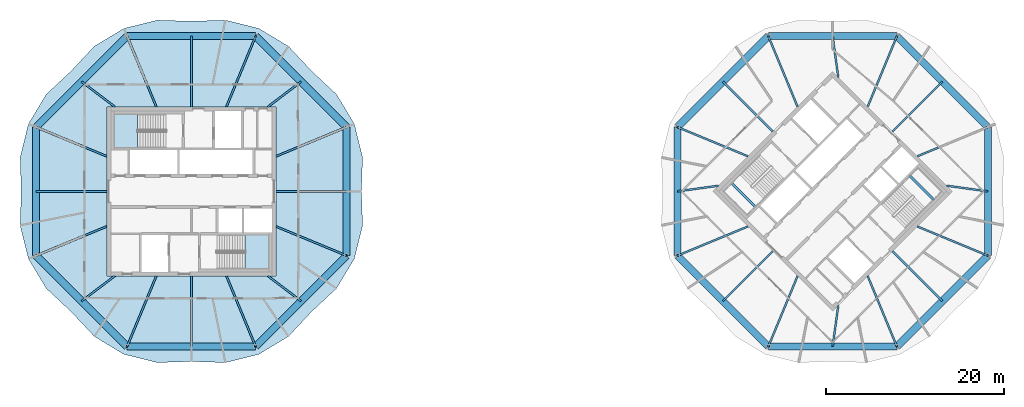
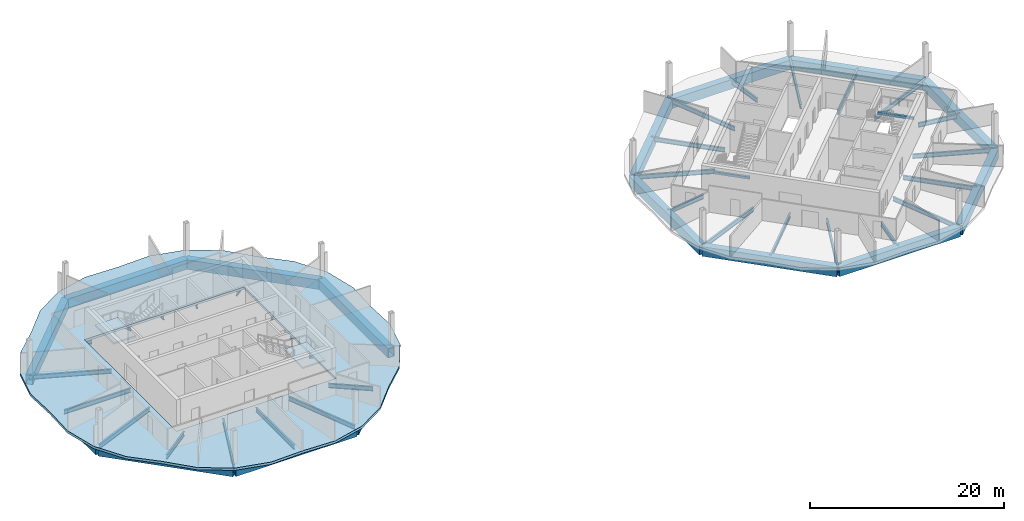
# One storey, part 3 of 10: 50 beams, 3 slabs, 2 elements without a shape of their own.
"""IFC4 building model written with IfcOpenShell, lengths in metres."""

from ifc_helpers import new_model, si_unit, direction, frame, origin, origin_2d, place, context, subcontext, project, spatial, polyline, rectangle, hollow_rectangle, i_section, outline, extrude, material, layer, layer_set, material_profile, profile_set, type_object, element, aggregate, save


model = new_model("IFC4")

# Units and contexts
model_context = context("Model", 3, precision=1e-05, world=origin(), true_north=direction((0.0, 1.0)))
body_context = subcontext(model_context, "Body", "Model", "MODEL_VIEW")
ifc_project = project(units=[si_unit("LENGTHUNIT", "METRE"), si_unit("AREAUNIT", "SQUARE_METRE"), si_unit("VOLUMEUNIT", "CUBIC_METRE"), si_unit("PLANEANGLEUNIT", "RADIAN"), si_unit("MASSUNIT", "GRAM", prefix="KILO")], contexts=[model_context])

# Site, building, storey
site_placement = place(None, origin())
site = spatial("IfcSite", under=ifc_project, at=site_placement, CompositionType="ELEMENT")
building_placement = place(site_placement, origin())
building = spatial("IfcBuilding", under=site, at=building_placement, Name="Ogive Gate Towers", CompositionType="ELEMENT")
storey_placement = place(building_placement, frame((0.0, 0.0, 260.39990234375)))
storey = spatial("IfcBuildingStorey", under=building, at=storey_placement, Name="L61", CompositionType="ELEMENT", Elevation=260.39990234375)

# Beams
ifc_material_1 = material(Name="Steel SM460", Category="steel")
ifc_material_profile_1 = material_profile(ifc_material_1, hollow_rectangle(XDim=0.800048828125, YDim=1.199951171875, WallThickness=0.050048828125, at=origin_2d()), Name="BX 1200x800x50")
ifc_profile_set_1 = profile_set([ifc_material_profile_1], Name="Steel SM460")
beam_type_1 = type_object("IfcBeamType", Name="Edge girder BX 1200x800x50", PredefinedType="BEAM", material=ifc_profile_set_1)
beam_1_placement = place(storey_placement, frame((-53.42431640625, -7.217529296875, -0.89990234375), z_axis=(0.707106781187, -0.707106781187, 0.0), x_axis=(0.707106781187, 0.707106781187, 0.0)))
element("IfcBeam", 1, at=beam_1_placement, inside=storey, type_object=beam_type_1, Name="T1/L61/SBM017", PredefinedType="BEAM", context=body_context, shape_type="SweptSolid", body=[
    extrude(hollow_rectangle(XDim=0.800048828125, YDim=1.199951171875, WallThickness=0.050048828125, at=origin_2d()), origin(), (0.0, 0.0, 1.0), 14.4345703125),
])
beam_2_placement = place(storey_placement, frame((-43.217529296875, -17.42431640625, -0.89990234375), z_axis=(1.0, 0.0, 0.0), x_axis=(0.0, 1.0, 0.0)))
element("IfcBeam", 2, at=beam_2_placement, inside=storey, type_object=beam_type_1, Name="T1/L61/SBM018", PredefinedType="BEAM", context=body_context, shape_type="SweptSolid", body=[
    extrude(hollow_rectangle(XDim=0.800048828125, YDim=1.199951171875, WallThickness=0.050048828125, at=origin_2d()), origin(), (0.0, 0.0, 1.0), 14.43505859375),
])
beam_3_placement = place(storey_placement, frame((-28.782470703125, -17.42431640625, -0.89990234375), z_axis=(0.707106781187, 0.707106781187, 0.0), x_axis=(-0.707106781187, 0.707106781187, 0.0)))
element("IfcBeam", 3, at=beam_3_placement, inside=storey, type_object=beam_type_1, Name="T1/L61/SBM019", PredefinedType="BEAM", context=body_context, shape_type="SweptSolid", body=[
    extrude(hollow_rectangle(XDim=0.800048828125, YDim=1.199951171875, WallThickness=0.050048828125, at=origin_2d()), origin(), (0.0, 0.0, 1.0), 14.4345703125),
])
beam_4_placement = place(storey_placement, frame((-18.57568359375, -7.217529296875, -0.89990234375), z_axis=(0.0, 1.0, 0.0), x_axis=(-1.0, 0.0, 0.0)))
element("IfcBeam", 4, at=beam_4_placement, inside=storey, type_object=beam_type_1, Name="T1/L61/SBM020", PredefinedType="BEAM", context=body_context, shape_type="SweptSolid", body=[
    extrude(hollow_rectangle(XDim=0.800048828125, YDim=1.199951171875, WallThickness=0.050048828125, at=origin_2d()), origin(), (0.0, 0.0, 1.0), 14.43505859375),
])
beam_5_placement = place(storey_placement, frame((-18.57568359375, 7.217529296875, -0.89990234375), z_axis=(-0.707106781187, 0.707106781187, 0.0), x_axis=(-0.707106781187, -0.707106781187, 0.0)))
element("IfcBeam", 5, at=beam_5_placement, inside=storey, type_object=beam_type_1, Name="T1/L61/SBM021", PredefinedType="BEAM", context=body_context, shape_type="SweptSolid", body=[
    extrude(hollow_rectangle(XDim=0.800048828125, YDim=1.199951171875, WallThickness=0.050048828125, at=origin_2d()), origin(), (0.0, 0.0, 1.0), 14.4345703125),
])
beam_6_placement = place(storey_placement, frame((-28.782470703125, 17.42431640625, -0.89990234375), z_axis=(-1.0, 0.0, 0.0), x_axis=(0.0, -1.0, 0.0)))
element("IfcBeam", 6, at=beam_6_placement, inside=storey, type_object=beam_type_1, Name="T1/L61/SBM022", PredefinedType="BEAM", context=body_context, shape_type="SweptSolid", body=[
    extrude(hollow_rectangle(XDim=0.800048828125, YDim=1.199951171875, WallThickness=0.050048828125, at=origin_2d()), origin(), (0.0, 0.0, 1.0), 14.43505859375),
])
beam_7_placement = place(storey_placement, frame((-43.217529296875, 17.42431640625, -0.89990234375), z_axis=(-0.707106781187, -0.707106781187, 0.0), x_axis=(0.707106781187, -0.707106781187, 0.0)))
element("IfcBeam", 7, at=beam_7_placement, inside=storey, type_object=beam_type_1, Name="T1/L61/SBM023", PredefinedType="BEAM", context=body_context, shape_type="SweptSolid", body=[
    extrude(hollow_rectangle(XDim=0.800048828125, YDim=1.199951171875, WallThickness=0.050048828125, at=origin_2d()), origin(), (0.0, 0.0, 1.0), 14.4345703125),
])
beam_8_placement = place(storey_placement, frame((-53.42431640625, 7.217529296875, -0.89990234375), z_axis=(0.0, -1.0, 0.0), x_axis=(1.0, 0.0, 0.0)))
element("IfcBeam", 8, at=beam_8_placement, inside=storey, type_object=beam_type_1, Name="T1/L61/SBM024", PredefinedType="BEAM", context=body_context, shape_type="SweptSolid", body=[
    extrude(hollow_rectangle(XDim=0.800048828125, YDim=1.199951171875, WallThickness=0.050048828125, at=origin_2d()), origin(), (0.0, 0.0, 1.0), 14.43505859375),
])
beam_9_placement = place(storey_placement, frame((18.57568359375, -7.217529296875, -0.89990234375), z_axis=(0.707106781187, -0.707106781187, 0.0), x_axis=(0.707106781187, 0.707106781187, 0.0)))
element("IfcBeam", 9, at=beam_9_placement, inside=storey, type_object=beam_type_1, Name="T2/L61/SBM017", PredefinedType="BEAM", context=body_context, shape_type="SweptSolid", body=[
    extrude(hollow_rectangle(XDim=0.800048828125, YDim=1.199951171875, WallThickness=0.050048828125, at=origin_2d()), origin(), (0.0, 0.0, 1.0), 14.4345703125),
])
beam_10_placement = place(storey_placement, frame((28.782470703125, -17.42431640625, -0.89990234375), z_axis=(1.0, 0.0, 0.0), x_axis=(0.0, 1.0, 0.0)))
element("IfcBeam", 10, at=beam_10_placement, inside=storey, type_object=beam_type_1, Name="T2/L61/SBM018", PredefinedType="BEAM", context=body_context, shape_type="SweptSolid", body=[
    extrude(hollow_rectangle(XDim=0.800048828125, YDim=1.199951171875, WallThickness=0.050048828125, at=origin_2d()), origin(), (0.0, 0.0, 1.0), 14.43505859375),
])
beam_11_placement = place(storey_placement, frame((43.217529296875, -17.42431640625, -0.89990234375), z_axis=(0.707106781187, 0.707106781187, 0.0), x_axis=(-0.707106781187, 0.707106781187, 0.0)))
element("IfcBeam", 11, at=beam_11_placement, inside=storey, type_object=beam_type_1, Name="T2/L61/SBM019", PredefinedType="BEAM", context=body_context, shape_type="SweptSolid", body=[
    extrude(hollow_rectangle(XDim=0.800048828125, YDim=1.199951171875, WallThickness=0.050048828125, at=origin_2d()), origin(), (0.0, 0.0, 1.0), 14.4345703125),
])
beam_12_placement = place(storey_placement, frame((53.42431640625, -7.217529296875, -0.89990234375), z_axis=(0.0, 1.0, 0.0), x_axis=(-1.0, 0.0, 0.0)))
element("IfcBeam", 12, at=beam_12_placement, inside=storey, type_object=beam_type_1, Name="T2/L61/SBM020", PredefinedType="BEAM", context=body_context, shape_type="SweptSolid", body=[
    extrude(hollow_rectangle(XDim=0.800048828125, YDim=1.199951171875, WallThickness=0.050048828125, at=origin_2d()), origin(), (0.0, 0.0, 1.0), 14.43505859375),
])
beam_13_placement = place(storey_placement, frame((53.42431640625, 7.217529296875, -0.89990234375), z_axis=(-0.707106781187, 0.707106781187, 0.0), x_axis=(-0.707106781187, -0.707106781187, 0.0)))
element("IfcBeam", 13, at=beam_13_placement, inside=storey, type_object=beam_type_1, Name="T2/L61/SBM021", PredefinedType="BEAM", context=body_context, shape_type="SweptSolid", body=[
    extrude(hollow_rectangle(XDim=0.800048828125, YDim=1.199951171875, WallThickness=0.050048828125, at=origin_2d()), origin(), (0.0, 0.0, 1.0), 14.4345703125),
])
beam_14_placement = place(storey_placement, frame((43.217529296875, 17.42431640625, -0.89990234375), z_axis=(-1.0, 0.0, 0.0), x_axis=(0.0, -1.0, 0.0)))
element("IfcBeam", 14, at=beam_14_placement, inside=storey, type_object=beam_type_1, Name="T2/L61/SBM022", PredefinedType="BEAM", context=body_context, shape_type="SweptSolid", body=[
    extrude(hollow_rectangle(XDim=0.800048828125, YDim=1.199951171875, WallThickness=0.050048828125, at=origin_2d()), origin(), (0.0, 0.0, 1.0), 14.43505859375),
])
beam_15_placement = place(storey_placement, frame((28.782470703125, 17.42431640625, -0.89990234375), z_axis=(-0.707106781187, -0.707106781187, 0.0), x_axis=(0.707106781187, -0.707106781187, 0.0)))
element("IfcBeam", 15, at=beam_15_placement, inside=storey, type_object=beam_type_1, Name="T2/L61/SBM023", PredefinedType="BEAM", context=body_context, shape_type="SweptSolid", body=[
    extrude(hollow_rectangle(XDim=0.800048828125, YDim=1.199951171875, WallThickness=0.050048828125, at=origin_2d()), origin(), (0.0, 0.0, 1.0), 14.4345703125),
])
beam_16_placement = place(storey_placement, frame((18.57568359375, 7.217529296875, -0.89990234375), z_axis=(0.0, -1.0, 0.0), x_axis=(1.0, 0.0, 0.0)))
element("IfcBeam", 16, at=beam_16_placement, inside=storey, type_object=beam_type_1, Name="T2/L61/SBM024", PredefinedType="BEAM", context=body_context, shape_type="SweptSolid", body=[
    extrude(hollow_rectangle(XDim=0.800048828125, YDim=1.199951171875, WallThickness=0.050048828125, at=origin_2d()), origin(), (0.0, 0.0, 1.0), 14.43505859375),
])
ifc_material_2 = material(Name="Concrete C40/50", Category="concrete")
ifc_material_profile_2 = material_profile(ifc_material_2, rectangle(XDim=0.25, YDim=0.300048828125, at=origin_2d()), Name="RC 250x300")
ifc_profile_set_2 = profile_set([ifc_material_profile_2], Name="Concrete C40/50")
beam_type_2 = type_object("IfcBeamType", Name="Landing bearer RC 250x300", PredefinedType="BEAM", material=ifc_profile_set_2)
for number, where, z_axis, x_axis, name in (
    (17, (24.64111328125, 0.94482421875, 1.75), (0.707138693938, -0.707074866995, 0.0), (0.707074866995, 0.707138693938, 0.0), "T2 L61 stair 1 landing bearer 1"),
    (18, (47.35888671875, -0.94482421875, 1.75), (-0.707138693938, 0.707074866995, 0.0), (-0.707074866995, -0.707138693938, 0.0), "T2 L61 stair 2 landing bearer 1"),
):
    element("IfcBeam", number, at=place(storey_placement, frame(where, z_axis=z_axis, x_axis=x_axis)), inside=storey, type_object=beam_type_2, Name=name, PredefinedType="BEAM", context=body_context, shape_type="SweptSolid", body=[
        extrude(rectangle(XDim=0.25, YDim=0.300048828125, at=origin_2d()), origin(), (0.0, 0.0, 1.0), 3.824951171875),
    ])
ifc_material_3 = material(Name="Steel SM355", Category="steel")
ifc_material_profile_3 = material_profile(ifc_material_3, i_section(OverallWidth=0.2099609375, OverallDepth=0.550048828125, WebThickness=0.010986328125, FlangeThickness=0.01708984375, FilletRadius=0.02392578125, at=origin_2d()), Name="IPE 550")
ifc_profile_set_3 = profile_set([ifc_material_profile_3], Name="Steel SM355")
beam_type_3 = type_object("IfcBeamType", Name="Radial floor beam IPE 550", PredefinedType="BEAM", material=ifc_profile_set_3)
beam_17_placement = place(storey_placement, frame((-45.5, -3.93505859375, -0.574951171875), z_axis=(-0.923874941579, -0.382694515667, 0.0), x_axis=(0.382694515667, -0.923874941579, 0.0)))
element("IfcBeam", 19, at=beam_17_placement, inside=storey, type_object=beam_type_3, Name="T1/L61/SBM001", PredefinedType="BEAM", context=body_context, shape_type="SweptSolid", body=[
    extrude(i_section(OverallWidth=0.2099609375, OverallDepth=0.550048828125, WebThickness=0.010986328125, FlangeThickness=0.01708984375, FilletRadius=0.02392578125, at=origin_2d()), origin(), (0.0, 0.0, 1.0), 8.5771484375),
])
beam_18_placement = place(storey_placement, frame((-44.60009765625, -9.5, -0.574951171875), z_axis=(-0.796877025219, -0.604141545235, 0.0), x_axis=(0.604141545235, -0.796877025219, 0.0)))
element("IfcBeam", 20, at=beam_18_placement, inside=storey, type_object=beam_type_3, Name="T1/L61/SBM002", PredefinedType="BEAM", context=body_context, shape_type="SweptSolid", body=[
    extrude(i_section(OverallWidth=0.2099609375, OverallDepth=0.550048828125, WebThickness=0.010986328125, FlangeThickness=0.01708984375, FilletRadius=0.02392578125, at=origin_2d()), origin(), (0.0, 0.0, 1.0), 4.669189453125),
])
beam_19_placement = place(storey_placement, frame((-39.93505859375, -9.5, -0.574951171875), z_axis=(-0.382694515667, -0.923874941579, 0.0), x_axis=(0.923874941579, -0.382694515667, 0.0)))
element("IfcBeam", 21, at=beam_19_placement, inside=storey, type_object=beam_type_3, Name="T1/L61/SBM003", PredefinedType="BEAM", context=body_context, shape_type="SweptSolid", body=[
    extrude(i_section(OverallWidth=0.2099609375, OverallDepth=0.550048828125, WebThickness=0.010986328125, FlangeThickness=0.01708984375, FilletRadius=0.02392578125, at=origin_2d()), origin(), (0.0, 0.0, 1.0), 8.5771484375),
])
beam_20_placement = place(storey_placement, frame((-36.0, -9.5, -0.574951171875), z_axis=(0.0, -1.0, 0.0), x_axis=(1.0, 0.0, 0.0)))
element("IfcBeam", 22, at=beam_20_placement, inside=storey, type_object=beam_type_3, Name="T1/L61/SBM004", PredefinedType="BEAM", context=body_context, shape_type="SweptSolid", body=[
    extrude(i_section(OverallWidth=0.2099609375, OverallDepth=0.550048828125, WebThickness=0.010986328125, FlangeThickness=0.01708984375, FilletRadius=0.02392578125, at=origin_2d()), origin(), (0.0, 0.0, 1.0), 7.92431640625),
])
beam_21_placement = place(storey_placement, frame((-32.06494140625, -9.5, -0.574951171875), z_axis=(0.382694515667, -0.923874941579, 0.0), x_axis=(0.923874941579, 0.382694515667, 0.0)))
element("IfcBeam", 23, at=beam_21_placement, inside=storey, type_object=beam_type_3, Name="T1/L61/SBM005", PredefinedType="BEAM", context=body_context, shape_type="SweptSolid", body=[
    extrude(i_section(OverallWidth=0.2099609375, OverallDepth=0.550048828125, WebThickness=0.010986328125, FlangeThickness=0.01708984375, FilletRadius=0.02392578125, at=origin_2d()), origin(), (0.0, 0.0, 1.0), 8.5771484375),
])
beam_22_placement = place(storey_placement, frame((-27.39990234375, -9.5, -0.574951171875), z_axis=(0.796877025219, -0.604141545235, 0.0), x_axis=(0.604141545235, 0.796877025219, 0.0)))
element("IfcBeam", 24, at=beam_22_placement, inside=storey, type_object=beam_type_3, Name="T1/L61/SBM006", PredefinedType="BEAM", context=body_context, shape_type="SweptSolid", body=[
    extrude(i_section(OverallWidth=0.2099609375, OverallDepth=0.550048828125, WebThickness=0.010986328125, FlangeThickness=0.01708984375, FilletRadius=0.02392578125, at=origin_2d()), origin(), (0.0, 0.0, 1.0), 4.669189453125),
])
beam_23_placement = place(storey_placement, frame((-26.5, -3.93505859375, -0.574951171875), z_axis=(0.923874941579, -0.382694515667, 0.0), x_axis=(0.382694515667, 0.923874941579, 0.0)))
element("IfcBeam", 25, at=beam_23_placement, inside=storey, type_object=beam_type_3, Name="T1/L61/SBM007", PredefinedType="BEAM", context=body_context, shape_type="SweptSolid", body=[
    extrude(i_section(OverallWidth=0.2099609375, OverallDepth=0.550048828125, WebThickness=0.010986328125, FlangeThickness=0.01708984375, FilletRadius=0.02392578125, at=origin_2d()), origin(), (0.0, 0.0, 1.0), 8.5771484375),
])
beam_24_placement = place(storey_placement, frame((-26.5, 0.0, -0.574951171875), z_axis=(1.0, 0.0, 0.0), x_axis=(0.0, 1.0, 0.0)))
element("IfcBeam", 26, at=beam_24_placement, inside=storey, type_object=beam_type_3, Name="T1/L61/SBM008", PredefinedType="BEAM", context=body_context, shape_type="SweptSolid", body=[
    extrude(i_section(OverallWidth=0.2099609375, OverallDepth=0.550048828125, WebThickness=0.010986328125, FlangeThickness=0.01708984375, FilletRadius=0.02392578125, at=origin_2d()), origin(), (0.0, 0.0, 1.0), 7.92431640625),
])
beam_25_placement = place(storey_placement, frame((-26.5, 3.93505859375, -0.574951171875), z_axis=(0.923874941579, 0.382694515667, 0.0), x_axis=(-0.382694515667, 0.923874941579, 0.0)))
element("IfcBeam", 27, at=beam_25_placement, inside=storey, type_object=beam_type_3, Name="T1/L61/SBM009", PredefinedType="BEAM", context=body_context, shape_type="SweptSolid", body=[
    extrude(i_section(OverallWidth=0.2099609375, OverallDepth=0.550048828125, WebThickness=0.010986328125, FlangeThickness=0.01708984375, FilletRadius=0.02392578125, at=origin_2d()), origin(), (0.0, 0.0, 1.0), 8.5771484375),
])
beam_26_placement = place(storey_placement, frame((-27.39990234375, 9.5, -0.574951171875), z_axis=(0.796877025219, 0.604141545235, 0.0), x_axis=(-0.604141545235, 0.796877025219, 0.0)))
element("IfcBeam", 28, at=beam_26_placement, inside=storey, type_object=beam_type_3, Name="T1/L61/SBM010", PredefinedType="BEAM", context=body_context, shape_type="SweptSolid", body=[
    extrude(i_section(OverallWidth=0.2099609375, OverallDepth=0.550048828125, WebThickness=0.010986328125, FlangeThickness=0.01708984375, FilletRadius=0.02392578125, at=origin_2d()), origin(), (0.0, 0.0, 1.0), 4.669189453125),
])
beam_27_placement = place(storey_placement, frame((-32.06494140625, 9.5, -0.574951171875), z_axis=(0.382694515667, 0.923874941579, 0.0), x_axis=(-0.923874941579, 0.382694515667, 0.0)))
element("IfcBeam", 29, at=beam_27_placement, inside=storey, type_object=beam_type_3, Name="T1/L61/SBM011", PredefinedType="BEAM", context=body_context, shape_type="SweptSolid", body=[
    extrude(i_section(OverallWidth=0.2099609375, OverallDepth=0.550048828125, WebThickness=0.010986328125, FlangeThickness=0.01708984375, FilletRadius=0.02392578125, at=origin_2d()), origin(), (0.0, 0.0, 1.0), 8.5771484375),
])
beam_28_placement = place(storey_placement, frame((-36.0, 9.5, -0.574951171875), z_axis=(0.0, 1.0, 0.0), x_axis=(-1.0, 0.0, 0.0)))
element("IfcBeam", 30, at=beam_28_placement, inside=storey, type_object=beam_type_3, Name="T1/L61/SBM012", PredefinedType="BEAM", context=body_context, shape_type="SweptSolid", body=[
    extrude(i_section(OverallWidth=0.2099609375, OverallDepth=0.550048828125, WebThickness=0.010986328125, FlangeThickness=0.01708984375, FilletRadius=0.02392578125, at=origin_2d()), origin(), (0.0, 0.0, 1.0), 7.92431640625),
])
beam_29_placement = place(storey_placement, frame((-39.93505859375, 9.5, -0.574951171875), z_axis=(-0.382694515667, 0.923874941579, 0.0), x_axis=(-0.923874941579, -0.382694515667, 0.0)))
element("IfcBeam", 31, at=beam_29_placement, inside=storey, type_object=beam_type_3, Name="T1/L61/SBM013", PredefinedType="BEAM", context=body_context, shape_type="SweptSolid", body=[
    extrude(i_section(OverallWidth=0.2099609375, OverallDepth=0.550048828125, WebThickness=0.010986328125, FlangeThickness=0.01708984375, FilletRadius=0.02392578125, at=origin_2d()), origin(), (0.0, 0.0, 1.0), 8.5771484375),
])
beam_30_placement = place(storey_placement, frame((-44.60009765625, 9.5, -0.574951171875), z_axis=(-0.796877025219, 0.604141545235, 0.0), x_axis=(-0.604141545235, -0.796877025219, 0.0)))
element("IfcBeam", 32, at=beam_30_placement, inside=storey, type_object=beam_type_3, Name="T1/L61/SBM014", PredefinedType="BEAM", context=body_context, shape_type="SweptSolid", body=[
    extrude(i_section(OverallWidth=0.2099609375, OverallDepth=0.550048828125, WebThickness=0.010986328125, FlangeThickness=0.01708984375, FilletRadius=0.02392578125, at=origin_2d()), origin(), (0.0, 0.0, 1.0), 4.669189453125),
])
beam_31_placement = place(storey_placement, frame((-45.5, 3.93505859375, -0.574951171875), z_axis=(-0.923874941579, 0.382694515667, 0.0), x_axis=(-0.382694515667, -0.923874941579, 0.0)))
element("IfcBeam", 33, at=beam_31_placement, inside=storey, type_object=beam_type_3, Name="T1/L61/SBM015", PredefinedType="BEAM", context=body_context, shape_type="SweptSolid", body=[
    extrude(i_section(OverallWidth=0.2099609375, OverallDepth=0.550048828125, WebThickness=0.010986328125, FlangeThickness=0.01708984375, FilletRadius=0.02392578125, at=origin_2d()), origin(), (0.0, 0.0, 1.0), 8.5771484375),
])
beam_32_placement = place(storey_placement, frame((-45.5, 0.0, -0.574951171875), z_axis=(-1.0, 0.0, 0.0), x_axis=(0.0, -1.0, 0.0)))
element("IfcBeam", 34, at=beam_32_placement, inside=storey, type_object=beam_type_3, Name="T1/L61/SBM016", PredefinedType="BEAM", context=body_context, shape_type="SweptSolid", body=[
    extrude(i_section(OverallWidth=0.2099609375, OverallDepth=0.550048828125, WebThickness=0.010986328125, FlangeThickness=0.01708984375, FilletRadius=0.02392578125, at=origin_2d()), origin(), (0.0, 0.0, 1.0), 7.92431640625),
])
beam_33_placement = place(storey_placement, frame((26.5, -3.93505859375, -0.574951171875), z_axis=(-0.923874941579, -0.382694515667, 0.0), x_axis=(0.382694515667, -0.923874941579, 0.0)))
element("IfcBeam", 35, at=beam_33_placement, inside=storey, type_object=beam_type_3, Name="T2/L61/SBM001", PredefinedType="BEAM", context=body_context, shape_type="SweptSolid", body=[
    extrude(i_section(OverallWidth=0.2099609375, OverallDepth=0.550048828125, WebThickness=0.010986328125, FlangeThickness=0.01708984375, FilletRadius=0.02392578125, at=origin_2d()), origin(), (0.0, 0.0, 1.0), 8.5771484375),
])
beam_34_placement = place(storey_placement, frame((29.282470703125, -6.717529296875, -0.574951171875), z_axis=(-0.707106781187, -0.707106781187, 0.0), x_axis=(0.707106781187, -0.707106781187, 0.0)))
element("IfcBeam", 36, at=beam_34_placement, inside=storey, type_object=beam_type_3, Name="T2/L61/SBM002", PredefinedType="BEAM", context=body_context, shape_type="SweptSolid", body=[
    extrude(i_section(OverallWidth=0.2099609375, OverallDepth=0.550048828125, WebThickness=0.010986328125, FlangeThickness=0.01708984375, FilletRadius=0.02392578125, at=origin_2d()), origin(), (0.0, 0.0, 1.0), 7.92431640625),
])
beam_35_placement = place(storey_placement, frame((32.06494140625, -9.5, -0.574951171875), z_axis=(-0.382694515667, -0.923874941579, 0.0), x_axis=(0.923874941579, -0.382694515667, 0.0)))
element("IfcBeam", 37, at=beam_35_placement, inside=storey, type_object=beam_type_3, Name="T2/L61/SBM003", PredefinedType="BEAM", context=body_context, shape_type="SweptSolid", body=[
    extrude(i_section(OverallWidth=0.2099609375, OverallDepth=0.550048828125, WebThickness=0.010986328125, FlangeThickness=0.01708984375, FilletRadius=0.02392578125, at=origin_2d()), origin(), (0.0, 0.0, 1.0), 8.5771484375),
])
beam_36_placement = place(storey_placement, frame((36.636474609375, -12.798583984375, -0.574951171875), z_axis=(-0.136310067219, -0.990666223092, 0.0), x_axis=(0.990666223092, -0.136310067219, 0.0)))
element("IfcBeam", 38, at=beam_36_placement, inside=storey, type_object=beam_type_3, Name="T2/L61/SBM004", PredefinedType="BEAM", context=body_context, shape_type="SweptSolid", body=[
    extrude(i_section(OverallWidth=0.2099609375, OverallDepth=0.550048828125, WebThickness=0.010986328125, FlangeThickness=0.01708984375, FilletRadius=0.02392578125, at=origin_2d()), origin(), (0.0, 0.0, 1.0), 4.66943359375),
])
beam_37_placement = place(storey_placement, frame((39.93505859375, -9.5, -0.574951171875), z_axis=(0.382694515667, -0.923874941579, 0.0), x_axis=(0.923874941579, 0.382694515667, 0.0)))
element("IfcBeam", 39, at=beam_37_placement, inside=storey, type_object=beam_type_3, Name="T2/L61/SBM005", PredefinedType="BEAM", context=body_context, shape_type="SweptSolid", body=[
    extrude(i_section(OverallWidth=0.2099609375, OverallDepth=0.550048828125, WebThickness=0.010986328125, FlangeThickness=0.01708984375, FilletRadius=0.02392578125, at=origin_2d()), origin(), (0.0, 0.0, 1.0), 8.5771484375),
])
beam_38_placement = place(storey_placement, frame((42.717529296875, -6.717529296875, -0.574951171875), z_axis=(0.707106781187, -0.707106781187, 0.0), x_axis=(0.707106781187, 0.707106781187, 0.0)))
element("IfcBeam", 40, at=beam_38_placement, inside=storey, type_object=beam_type_3, Name="T2/L61/SBM006", PredefinedType="BEAM", context=body_context, shape_type="SweptSolid", body=[
    extrude(i_section(OverallWidth=0.2099609375, OverallDepth=0.550048828125, WebThickness=0.010986328125, FlangeThickness=0.01708984375, FilletRadius=0.02392578125, at=origin_2d()), origin(), (0.0, 0.0, 1.0), 7.92431640625),
])
beam_39_placement = place(storey_placement, frame((45.5, -3.93505859375, -0.574951171875), z_axis=(0.923874941579, -0.382694515667, 0.0), x_axis=(0.382694515667, 0.923874941579, 0.0)))
element("IfcBeam", 41, at=beam_39_placement, inside=storey, type_object=beam_type_3, Name="T2/L61/SBM007", PredefinedType="BEAM", context=body_context, shape_type="SweptSolid", body=[
    extrude(i_section(OverallWidth=0.2099609375, OverallDepth=0.550048828125, WebThickness=0.010986328125, FlangeThickness=0.01708984375, FilletRadius=0.02392578125, at=origin_2d()), origin(), (0.0, 0.0, 1.0), 8.5771484375),
])
beam_40_placement = place(storey_placement, frame((48.798583984375, 0.636474609375, -0.574951171875), z_axis=(0.990666223092, -0.136310067219, 0.0), x_axis=(0.136310067219, 0.990666223092, 0.0)))
element("IfcBeam", 42, at=beam_40_placement, inside=storey, type_object=beam_type_3, Name="T2/L61/SBM008", PredefinedType="BEAM", context=body_context, shape_type="SweptSolid", body=[
    extrude(i_section(OverallWidth=0.2099609375, OverallDepth=0.550048828125, WebThickness=0.010986328125, FlangeThickness=0.01708984375, FilletRadius=0.02392578125, at=origin_2d()), origin(), (0.0, 0.0, 1.0), 4.66943359375),
])
beam_41_placement = place(storey_placement, frame((45.5, 3.93505859375, -0.574951171875), z_axis=(0.923874941579, 0.382694515667, 0.0), x_axis=(-0.382694515667, 0.923874941579, 0.0)))
element("IfcBeam", 43, at=beam_41_placement, inside=storey, type_object=beam_type_3, Name="T2/L61/SBM009", PredefinedType="BEAM", context=body_context, shape_type="SweptSolid", body=[
    extrude(i_section(OverallWidth=0.2099609375, OverallDepth=0.550048828125, WebThickness=0.010986328125, FlangeThickness=0.01708984375, FilletRadius=0.02392578125, at=origin_2d()), origin(), (0.0, 0.0, 1.0), 8.5771484375),
])
beam_42_placement = place(storey_placement, frame((42.717529296875, 6.717529296875, -0.574951171875), z_axis=(0.707106781187, 0.707106781187, 0.0), x_axis=(-0.707106781187, 0.707106781187, 0.0)))
element("IfcBeam", 44, at=beam_42_placement, inside=storey, type_object=beam_type_3, Name="T2/L61/SBM010", PredefinedType="BEAM", context=body_context, shape_type="SweptSolid", body=[
    extrude(i_section(OverallWidth=0.2099609375, OverallDepth=0.550048828125, WebThickness=0.010986328125, FlangeThickness=0.01708984375, FilletRadius=0.02392578125, at=origin_2d()), origin(), (0.0, 0.0, 1.0), 7.92431640625),
])
beam_43_placement = place(storey_placement, frame((39.93505859375, 9.5, -0.574951171875), z_axis=(0.382694515667, 0.923874941579, 0.0), x_axis=(-0.923874941579, 0.382694515667, 0.0)))
element("IfcBeam", 45, at=beam_43_placement, inside=storey, type_object=beam_type_3, Name="T2/L61/SBM011", PredefinedType="BEAM", context=body_context, shape_type="SweptSolid", body=[
    extrude(i_section(OverallWidth=0.2099609375, OverallDepth=0.550048828125, WebThickness=0.010986328125, FlangeThickness=0.01708984375, FilletRadius=0.02392578125, at=origin_2d()), origin(), (0.0, 0.0, 1.0), 8.5771484375),
])
beam_44_placement = place(storey_placement, frame((36.636474609375, 12.798583984375, -0.574951171875), z_axis=(-0.136310067219, 0.990666223092, 0.0), x_axis=(-0.990666223092, -0.136310067219, 0.0)))
element("IfcBeam", 46, at=beam_44_placement, inside=storey, type_object=beam_type_3, Name="T2/L61/SBM012", PredefinedType="BEAM", context=body_context, shape_type="SweptSolid", body=[
    extrude(i_section(OverallWidth=0.2099609375, OverallDepth=0.550048828125, WebThickness=0.010986328125, FlangeThickness=0.01708984375, FilletRadius=0.02392578125, at=origin_2d()), origin(), (0.0, 0.0, 1.0), 4.66943359375),
])
beam_45_placement = place(storey_placement, frame((32.06494140625, 9.5, -0.574951171875), z_axis=(-0.382694515667, 0.923874941579, 0.0), x_axis=(-0.923874941579, -0.382694515667, 0.0)))
element("IfcBeam", 47, at=beam_45_placement, inside=storey, type_object=beam_type_3, Name="T2/L61/SBM013", PredefinedType="BEAM", context=body_context, shape_type="SweptSolid", body=[
    extrude(i_section(OverallWidth=0.2099609375, OverallDepth=0.550048828125, WebThickness=0.010986328125, FlangeThickness=0.01708984375, FilletRadius=0.02392578125, at=origin_2d()), origin(), (0.0, 0.0, 1.0), 8.5771484375),
])
beam_46_placement = place(storey_placement, frame((29.282470703125, 6.717529296875, -0.574951171875), z_axis=(-0.707106781187, 0.707106781187, 0.0), x_axis=(-0.707106781187, -0.707106781187, 0.0)))
element("IfcBeam", 48, at=beam_46_placement, inside=storey, type_object=beam_type_3, Name="T2/L61/SBM014", PredefinedType="BEAM", context=body_context, shape_type="SweptSolid", body=[
    extrude(i_section(OverallWidth=0.2099609375, OverallDepth=0.550048828125, WebThickness=0.010986328125, FlangeThickness=0.01708984375, FilletRadius=0.02392578125, at=origin_2d()), origin(), (0.0, 0.0, 1.0), 7.92431640625),
])
beam_47_placement = place(storey_placement, frame((26.5, 3.93505859375, -0.574951171875), z_axis=(-0.923874941579, 0.382694515667, 0.0), x_axis=(-0.382694515667, -0.923874941579, 0.0)))
element("IfcBeam", 49, at=beam_47_placement, inside=storey, type_object=beam_type_3, Name="T2/L61/SBM015", PredefinedType="BEAM", context=body_context, shape_type="SweptSolid", body=[
    extrude(i_section(OverallWidth=0.2099609375, OverallDepth=0.550048828125, WebThickness=0.010986328125, FlangeThickness=0.01708984375, FilletRadius=0.02392578125, at=origin_2d()), origin(), (0.0, 0.0, 1.0), 8.5771484375),
])
beam_48_placement = place(storey_placement, frame((23.201416015625, 0.636474609375, -0.574951171875), z_axis=(-0.990666223092, -0.136310067219, 0.0), x_axis=(0.136310067219, -0.990666223092, 0.0)))
element("IfcBeam", 50, at=beam_48_placement, inside=storey, type_object=beam_type_3, Name="T2/L61/SBM016", PredefinedType="BEAM", context=body_context, shape_type="SweptSolid", body=[
    extrude(i_section(OverallWidth=0.2099609375, OverallDepth=0.550048828125, WebThickness=0.010986328125, FlangeThickness=0.01708984375, FilletRadius=0.02392578125, at=origin_2d()), origin(), (0.0, 0.0, 1.0), 4.66943359375),
])

# Slab
ifc_material_4 = material(Name="Concrete C35/45", Category="concrete")
ifc_layer_1 = layer(ifc_material_4, 0.300048828125)
ifc_layer_set_1 = layer_set([ifc_layer_1], Name="Floor slab 300")
slab_type_1 = type_object("IfcSlabType", Name="Floor slab 300", PredefinedType="FLOOR", material=ifc_layer_set_1)
slab_1_placement = place(storey_placement, frame((0.0, 0.0, -0.2998046875)))
element("IfcSlab", 51, at=slab_1_placement, inside=storey, type_object=slab_type_1, Name="T1/L61/SSL001", PredefinedType="FLOOR", context=body_context, shape_type="SweptSolid", body=[
    extrude(outline(polyline([(-16.776611328125, -3.82373046875), (-16.89990234375, 0.0), (-16.776611328125, 3.82373046875), (-17.707275390625, 7.5771484375), (-19.703125, 10.88916015625), (-22.494140625, 13.505859375), (-25.11083984375, 16.296875), (-28.4228515625, 18.292724609375), (-32.17626953125, 19.223388671875), (-36.0, 19.10009765625), (-39.82373046875, 19.223388671875), (-43.5771484375, 18.292724609375), (-46.88916015625, 16.296875), (-49.505859375, 13.505859375), (-52.296875, 10.88916015625), (-54.292724609375, 7.5771484375), (-55.223388671875, 3.82373046875), (-55.10009765625, 0.0), (-55.223388671875, -3.82373046875), (-54.292724609375, -7.5771484375), (-52.296875, -10.88916015625), (-49.505859375, -13.505859375), (-46.88916015625, -16.296875), (-43.5771484375, -18.292724609375), (-39.82373046875, -19.223388671875), (-36.0, -19.10009765625), (-32.17626953125, -19.223388671875), (-28.4228515625, -18.292724609375), (-25.11083984375, -16.296875), (-22.494140625, -13.505859375), (-19.703125, -10.88916015625), (-17.707275390625, -7.5771484375), (-16.776611328125, -3.82373046875)]), holes=[polyline([(-26.5, -9.5), (-45.5, -9.5), (-45.5, 9.5), (-26.5, 9.5), (-26.5, -9.5)])]), origin(), (0.0, 0.0, 1.0), 0.2998046875),
])

# Stair, slab
stair_type = type_object("IfcStairType", Name="Escape stair 1840 wide", PredefinedType="HALF_TURN_STAIR", material=ifc_material_2)
stair_1_placement = place(storey_placement, origin())
stair_1 = element("IfcStair", 52, at=stair_1_placement, inside=storey, type_object=stair_type, Name="L61 Escape stair 1", PredefinedType="HALF_TURN_STAIR")
ifc_layer_2 = layer(ifc_material_2, 0.199951171875)
ifc_layer_set_2 = layer_set([ifc_layer_2], Name="Stair landing 200 mm")
slab_type_2 = type_object("IfcSlabType", Name="Stair landing 200 mm", PredefinedType="LANDING", material=ifc_layer_set_2)
slab_2_placement = place(storey_placement, frame((0.0, 0.0, 1.900146484375)))
slab_2 = element("IfcSlab", 53, at=slab_2_placement, type_object=slab_type_2, Name="ST1 landing 1", PredefinedType="LANDING", context=body_context, shape_type="SweptSolid", body=[
    extrude(outline(polyline([(-42.027587890625, 8.699951171875), (-44.699951171875, 8.699951171875), (-44.699951171875, 4.875), (-42.027587890625, 4.875), (-42.027587890625, 8.699951171875)])), origin(), (0.0, 0.0, 1.0), 0.199951171875),
])
aggregate(stair_1, [slab_2])

stair_2_placement = place(storey_placement, origin())
stair_2 = element("IfcStair", 54, at=stair_2_placement, inside=storey, type_object=stair_type, Name="L61 Escape stair 2", PredefinedType="HALF_TURN_STAIR")
slab_3_placement = place(storey_placement, frame((0.0, 0.0, 1.900146484375)))
slab_3 = element("IfcSlab", 55, at=slab_3_placement, type_object=slab_type_2, Name="ST2 landing 1", PredefinedType="LANDING", context=body_context, shape_type="SweptSolid", body=[
    extrude(outline(polyline([(-29.972412109375, -8.699951171875), (-27.300048828125, -8.699951171875), (-27.300048828125, -4.875), (-29.972412109375, -4.875), (-29.972412109375, -8.699951171875)])), origin(), (0.0, 0.0, 1.0), 0.199951171875),
])
aggregate(stair_2, [slab_3])

save(model, "model.ifc")
